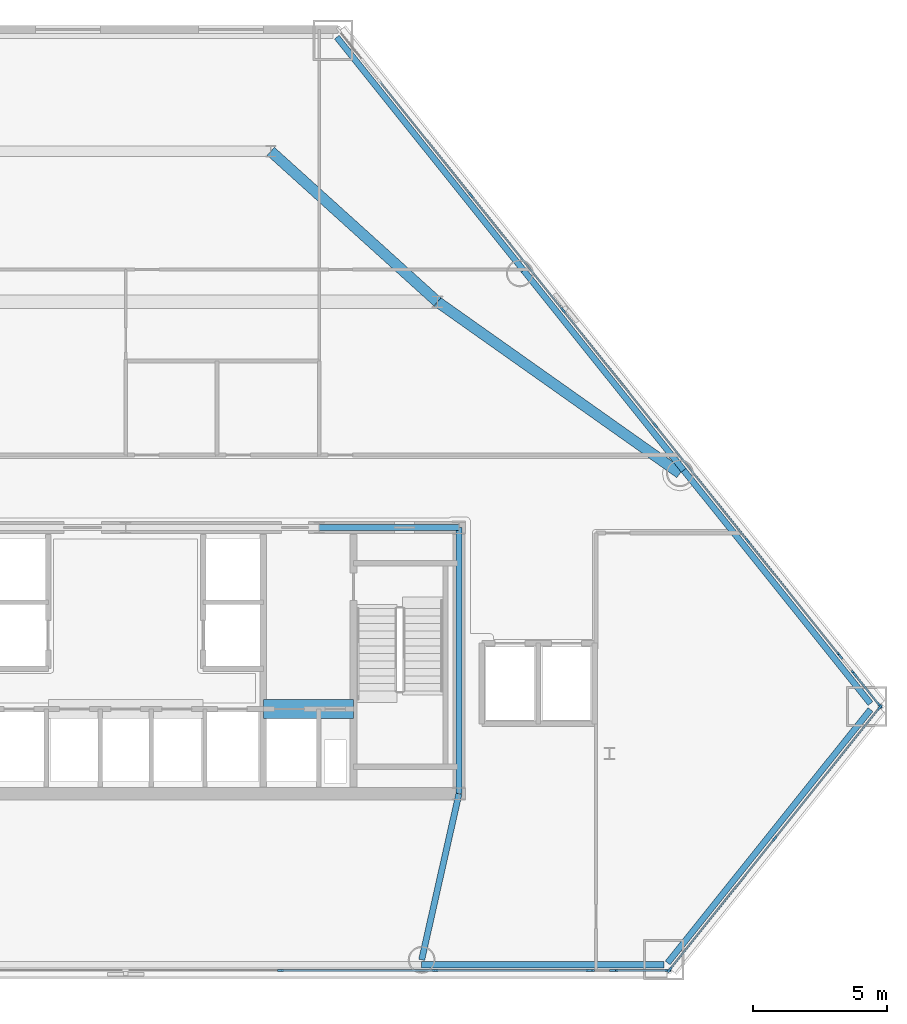
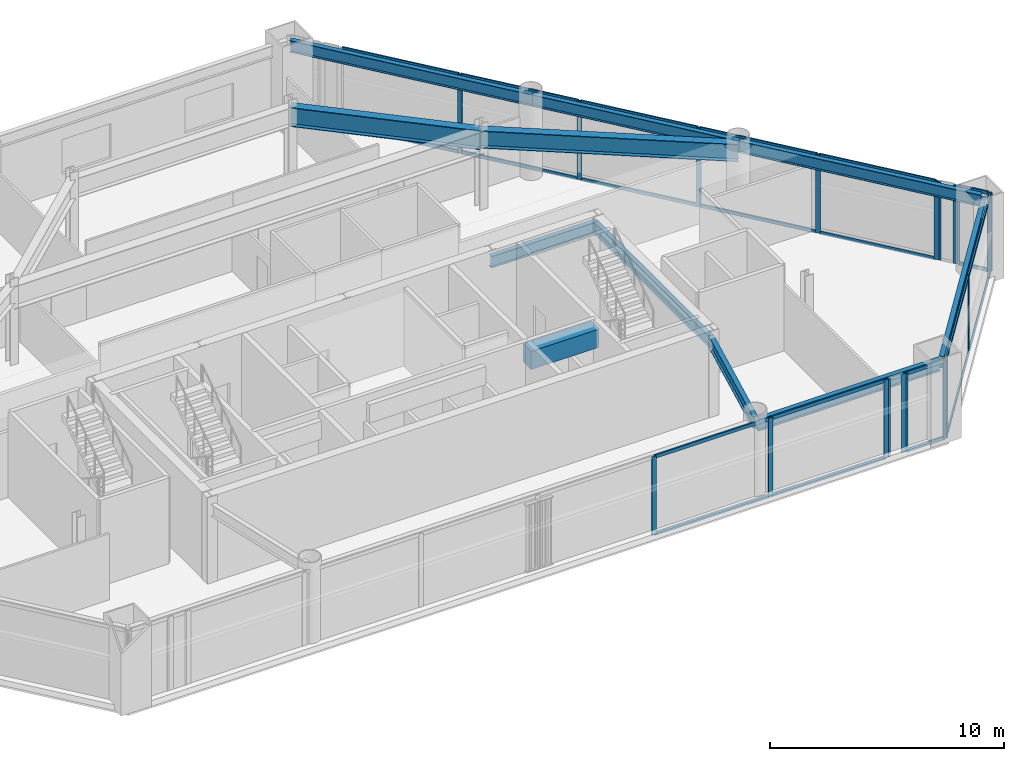
# One storey, part 5 of 13: 41 members, 11 beams, 7 elements without a shape of their own.
"""IFC4 building model written with IfcOpenShell, lengths in metres."""

from ifc_helpers import new_model, si_unit, direction, frame, origin, origin_2d, place, context, subcontext, project, spatial, rectangle, i_section, extrude, material, layer, layer_set, material_profile, profile_set, type_object, element, aggregate, save


model = new_model("IFC4")

# Units and contexts
model_context = context("Model", 3, precision=1e-05, world=origin(), true_north=direction((0.0, 1.0)))
body_context = subcontext(model_context, "Body", "Model", "MODEL_VIEW")
ifc_project = project(units=[si_unit("LENGTHUNIT", "METRE"), si_unit("AREAUNIT", "SQUARE_METRE"), si_unit("VOLUMEUNIT", "CUBIC_METRE"), si_unit("PLANEANGLEUNIT", "RADIAN"), si_unit("MASSUNIT", "GRAM", prefix="KILO")], contexts=[model_context])

# Site, building, storey
site_placement = place(None, origin())
site = spatial("IfcSite", under=ifc_project, at=site_placement, CompositionType="ELEMENT")
building_placement = place(site_placement, origin())
building = spatial("IfcBuilding", under=site, at=building_placement, Name="Talgorran Terracotta Tower", CompositionType="ELEMENT")
storey_placement = place(building_placement, frame((0.0, 0.0, 14.39990234375)))
storey = spatial("IfcBuildingStorey", under=building, at=storey_placement, Name="L03", CompositionType="ELEMENT", Elevation=14.39990234375)

# Beams
ifc_material_1 = material(Name="Steel Grade 350 (350L0)", Category="steel")
ifc_material_profile_1 = material_profile(ifc_material_1, i_section(OverallWidth=0.39990234375, OverallDepth=1.0, WebThickness=0.01611328125, FlangeThickness=0.031005859375, at=origin_2d()), Name="1000WB296")
ifc_profile_set_1 = profile_set([ifc_material_profile_1], Name="Steel Grade 350 (350L0)")
beam_type_1 = type_object("IfcBeamType", Name="BM_1000WB296", PredefinedType="BEAM", material=ifc_profile_set_1)
beam_1_placement = place(storey_placement, frame((11.60009765625, 4.199951171875, 3.60009765625), z_axis=(-0.742107331558, 0.670281066754, 0.0), x_axis=(-0.670281066754, -0.742107331558, 0.0)))
element("IfcBeam", 1, at=beam_1_placement, inside=storey, type_object=beam_type_1, Name="L03 Podium Girder PG3", PredefinedType="BEAM", context=body_context, shape_type="SweptSolid", body=[
    extrude(i_section(OverallWidth=0.39990234375, OverallDepth=1.0, WebThickness=0.01611328125, FlangeThickness=0.031005859375, at=origin_2d()), origin(), (0.0, 0.0, 1.0), 8.354736328125),
])
ifc_material_profile_2 = material_profile(ifc_material_1, i_section(OverallWidth=0.39990234375, OverallDepth=0.907958984375, WebThickness=0.01611328125, FlangeThickness=0.02490234375, at=origin_2d()), Name="900WB257")
ifc_profile_set_2 = profile_set([ifc_material_profile_2], Name="Steel Grade 350 (350L0)")
beam_type_2 = type_object("IfcBeamType", Name="BM_900WB257", PredefinedType="BEAM", material=ifc_profile_set_2)
beam_2_placement = place(storey_placement, frame((20.620361328125, -2.1787109375, 3.64599609375), z_axis=(-0.816480686171, 0.577372747113, 0.0), x_axis=(-0.577372747113, -0.816480686171, 0.0)))
element("IfcBeam", 2, at=beam_2_placement, inside=storey, type_object=beam_type_2, Name="L03 Podium Girder PG8", PredefinedType="BEAM", context=body_context, shape_type="SweptSolid", body=[
    extrude(i_section(OverallWidth=0.39990234375, OverallDepth=0.907958984375, WebThickness=0.01611328125, FlangeThickness=0.02490234375, at=origin_2d()), origin(), (0.0, 0.0, 1.0), 11.0478515625),
])
ifc_material_2 = material(Name="Concrete C65/80", Category="concrete")
ifc_material_profile_3 = material_profile(ifc_material_2, rectangle(XDim=0.699951171875, YDim=0.949951171875, at=origin_2d()), Name="RCCB700X950")
ifc_profile_set_3 = profile_set([ifc_material_profile_3], Name="Concrete C65/80")
beam_type_3 = type_object("IfcBeamType", Name="BM_CB_700X950", PredefinedType="LINTEL", material=ifc_profile_set_3)
beam_3_placement = place(storey_placement, frame((5.1201171875, -10.949951171875, 3.625), z_axis=(1.0, 0.0, 0.0), x_axis=(0.0, 1.0, 0.0)))
element("IfcBeam", 3, at=beam_3_placement, inside=storey, type_object=beam_type_3, Name="L03 Core Shear-Wall Coupling Beam CB3", PredefinedType="LINTEL", context=body_context, shape_type="SweptSolid", body=[
    extrude(rectangle(XDim=0.699951171875, YDim=0.949951171875, at=origin_2d()), origin(), (0.0, 0.0, 1.0), 3.35986328125),
])
ifc_material_3 = material(Name="Steel S355 (300PLUS)", Category="steel")
ifc_material_profile_4 = material_profile(ifc_material_3, i_section(OverallWidth=0.22900390625, OverallDepth=0.611572265625, WebThickness=0.011962890625, FlangeThickness=0.01953125, at=origin_2d()), Name="610UB125")
ifc_profile_set_4 = profile_set([ifc_material_profile_4], Name="Steel S355 (300PLUS)")
beam_type_4 = type_object("IfcBeamType", Name="BM_SP_610UB125", PredefinedType="SPANDREL", material=ifc_profile_set_4)
beam_4_placement = place(storey_placement, frame((11.01220703125, -20.4599609375, 3.794189453125), z_axis=(1.0, 0.0, 0.0), x_axis=(0.0, 1.0, 0.0)))
element("IfcBeam", 4, at=beam_4_placement, inside=storey, type_object=beam_type_4, Name="L03 Perimeter Spandrel Beam FC2-MC3", PredefinedType="SPANDREL", context=body_context, shape_type="SweptSolid", body=[
    extrude(i_section(OverallWidth=0.22900390625, OverallDepth=0.611572265625, WebThickness=0.011962890625, FlangeThickness=0.01953125, at=origin_2d()), origin(), (0.0, 0.0, 1.0), 9.010009765625),
])
beam_5_placement = place(storey_placement, frame((20.16259765625, -20.392578125, 3.794189453125), z_axis=(0.625116627788, 0.780531358539, 0.0), x_axis=(-0.780531358539, 0.625116627788, 0.0)))
element("IfcBeam", 5, at=beam_5_placement, inside=storey, type_object=beam_type_4, Name="L03 Perimeter Spandrel Beam MC3-MC4", PredefinedType="SPANDREL", context=body_context, shape_type="SweptSolid", body=[
    extrude(i_section(OverallWidth=0.22900390625, OverallDepth=0.611572265625, WebThickness=0.011962890625, FlangeThickness=0.01953125, at=origin_2d()), origin(), (0.0, 0.0, 1.0), 12.073974609375),
])
beam_6_placement = place(storey_placement, frame((27.710205078125, -10.743408203125, 3.794189453125), z_axis=(-0.625126142132, 0.780523738539, 0.0), x_axis=(-0.780523738539, -0.625126142132, 0.0)))
element("IfcBeam", 6, at=beam_6_placement, inside=storey, type_object=beam_type_4, Name="L03 Perimeter Spandrel Beam MC4-FC3", PredefinedType="SPANDREL", context=body_context, shape_type="SweptSolid", body=[
    extrude(i_section(OverallWidth=0.22900390625, OverallDepth=0.611572265625, WebThickness=0.011962890625, FlangeThickness=0.01953125, at=origin_2d()), origin(), (0.0, 0.0, 1.0), 11.116943359375),
])
beam_7_placement = place(storey_placement, frame((20.7607421875, -2.06640625, 3.794189453125), z_axis=(-0.625101149619, 0.780543754536, 0.0), x_axis=(-0.780543754536, -0.625101149619, 0.0)))
element("IfcBeam", 7, at=beam_7_placement, inside=storey, type_object=beam_type_4, Name="L03 Perimeter Spandrel Beam FC3-FC4", PredefinedType="SPANDREL", context=body_context, shape_type="SweptSolid", body=[
    extrude(i_section(OverallWidth=0.22900390625, OverallDepth=0.611572265625, WebThickness=0.011962890625, FlangeThickness=0.01953125, at=origin_2d()), origin(), (0.0, 0.0, 1.0), 9.52880859375),
])
beam_8_placement = place(storey_placement, frame((14.80419921875, 5.371337890625, 3.794189453125), z_axis=(-0.625115426811, 0.780532320383, 0.0), x_axis=(-0.780532320383, -0.625115426811, 0.0)))
element("IfcBeam", 8, at=beam_8_placement, inside=storey, type_object=beam_type_4, Name="L03 Perimeter Spandrel Beam FC4-MC5", PredefinedType="SPANDREL", context=body_context, shape_type="SweptSolid", body=[
    extrude(i_section(OverallWidth=0.22900390625, OverallDepth=0.611572265625, WebThickness=0.011962890625, FlangeThickness=0.01953125, at=origin_2d()), origin(), (0.0, 0.0, 1.0), 11.1171875),
])
beam_9_placement = place(storey_placement, frame((12.39990234375, -14.10009765625, 3.794189453125), z_axis=(-0.219093011867, -0.975703977726, 0.0), x_axis=(0.975703977726, -0.219093011867, 0.0)))
element("IfcBeam", 9, at=beam_9_placement, inside=storey, type_object=beam_type_4, Name="L03 South-East Core Tie Beam", PredefinedType="SPANDREL", context=body_context, shape_type="SweptSolid", body=[
    extrude(i_section(OverallWidth=0.22900390625, OverallDepth=0.611572265625, WebThickness=0.011962890625, FlangeThickness=0.01953125, at=origin_2d()), origin(), (0.0, 0.0, 1.0), 6.333740234375),
])
beam_10_placement = place(storey_placement, frame((12.39990234375, -14.10009765625, 3.794189453125), z_axis=(0.0, 1.0, 0.0), x_axis=(-1.0, 0.0, 0.0)))
element("IfcBeam", 10, at=beam_10_placement, inside=storey, type_object=beam_type_4, Name="L03 Core Frame Beam CFE", PredefinedType="SPANDREL", context=body_context, shape_type="SweptSolid", body=[
    extrude(i_section(OverallWidth=0.22900390625, OverallDepth=0.611572265625, WebThickness=0.011962890625, FlangeThickness=0.01953125, at=origin_2d()), origin(), (0.0, 0.0, 1.0), 9.900146484375),
])
beam_11_placement = place(storey_placement, frame((7.199951171875, -4.199951171875, 3.794189453125), z_axis=(1.0, 0.0, 0.0), x_axis=(0.0, 1.0, 0.0)))
element("IfcBeam", 11, at=beam_11_placement, inside=storey, type_object=beam_type_4, Name="L03 Core Frame Beam CFN4", PredefinedType="SPANDREL", context=body_context, shape_type="SweptSolid", body=[
    extrude(i_section(OverallWidth=0.22900390625, OverallDepth=0.611572265625, WebThickness=0.011962890625, FlangeThickness=0.01953125, at=origin_2d()), origin(), (0.0, 0.0, 1.0), 5.199951171875),
])

# Curtain wall, members
ifc_material_4 = material(Name="Terracotta and Low-E Glazing", Category="masonry")
ifc_layer = layer(ifc_material_4, 0.219970703125, Name="CW_SYS1_PODIUM")
ifc_layer_set = layer_set([ifc_layer], Name="Terracotta and Low-E Glazing")
curtain_wall_type = type_object("IfcCurtainWallType", Name="CW_SYS1_PODIUM", PredefinedType="NOTDEFINED", material=ifc_layer_set)
curtain_wall_1_placement = place(storey_placement, origin())
curtain_wall_1 = element("IfcCurtainWall", 12, at=curtain_wall_1_placement, inside=storey, type_object=curtain_wall_type, Name="CW-L03-F1C", PredefinedType="NOTDEFINED")
ifc_material_5 = material(Name="Architectural Aluminium 6063-T6", Category="aluminium")
ifc_material_profile_5 = material_profile(ifc_material_5, rectangle(XDim=0.074951171875, YDim=0.219970703125, at=origin_2d()), Name="CWM75X220")
ifc_profile_set_5 = profile_set([ifc_material_profile_5], Name="Architectural Aluminium 6063-T6")
member_type_1 = type_object("IfcMemberType", Name="MUL_75X220", PredefinedType="MULLION", material=ifc_profile_set_5)
member_1_placement = place(storey_placement, frame((5.759521484375, -20.679931640625, 0.0), z_axis=(0.0, 0.0, 1.0), x_axis=(0.0, 1.0, 0.0)))
member_1 = element("IfcMember", 13, at=member_1_placement, type_object=member_type_1, Name="CW-L03-1C mullion 5", PredefinedType="MULLION", context=body_context, shape_type="SweptSolid", body=[
    extrude(rectangle(XDim=0.074951171875, YDim=0.219970703125, at=origin_2d()), origin(), (0.0, 0.0, 1.0), 4.10009765625),
])
member_2_placement = place(storey_placement, frame((11.51904296875, -20.679931640625, 0.0), z_axis=(0.0, 0.0, 1.0), x_axis=(0.0, 1.0, 0.0)))
member_2 = element("IfcMember", 14, at=member_2_placement, type_object=member_type_1, Name="CW-L03-1C mullion 6", PredefinedType="MULLION", context=body_context, shape_type="SweptSolid", body=[
    extrude(rectangle(XDim=0.074951171875, YDim=0.219970703125, at=origin_2d()), origin(), (0.0, 0.0, 1.0), 4.10009765625),
])
member_3_placement = place(storey_placement, frame((17.240966796875, -20.679931640625, 0.0), z_axis=(0.0, 0.0, 1.0), x_axis=(0.0, 1.0, 0.0)))
member_3 = element("IfcMember", 15, at=member_3_placement, type_object=member_type_1, Name="CW-L03-1C mullion 7", PredefinedType="MULLION", context=body_context, shape_type="SweptSolid", body=[
    extrude(rectangle(XDim=0.074951171875, YDim=0.219970703125, at=origin_2d()), origin(), (0.0, 0.0, 1.0), 4.10009765625),
])

curtain_wall_2_placement = place(storey_placement, origin())
curtain_wall_2 = element("IfcCurtainWall", 16, at=curtain_wall_2_placement, inside=storey, type_object=curtain_wall_type, Name="CW-L03-F1D", PredefinedType="NOTDEFINED")
member_4_placement = place(storey_placement, frame((17.325927734375, -20.679931640625, 0.0), z_axis=(0.0, 0.0, 1.0), x_axis=(0.0, 1.0, 0.0)))
member_4 = element("IfcMember", 17, at=member_4_placement, type_object=member_type_1, Name="CW-L03-1D mullion 1", PredefinedType="MULLION", context=body_context, shape_type="SweptSolid", body=[
    extrude(rectangle(XDim=0.074951171875, YDim=0.219970703125, at=origin_2d()), origin(), (0.0, 0.0, 1.0), 4.10009765625),
])
member_5_placement = place(storey_placement, frame((18.11376953125, -20.679931640625, 0.0), z_axis=(0.0, 0.0, 1.0), x_axis=(0.0, 1.0, 0.0)))
member_5 = element("IfcMember", 18, at=member_5_placement, type_object=member_type_1, Name="CW-L03-1D mullion 2", PredefinedType="MULLION", context=body_context, shape_type="SweptSolid", body=[
    extrude(rectangle(XDim=0.074951171875, YDim=0.219970703125, at=origin_2d()), origin(), (0.0, 0.0, 1.0), 4.10009765625),
])
aggregate(curtain_wall_2, [member_4, member_5])

curtain_wall_3_placement = place(storey_placement, origin())
curtain_wall_3 = element("IfcCurtainWall", 19, at=curtain_wall_3_placement, inside=storey, type_object=curtain_wall_type, Name="CW-L03-F1E", PredefinedType="NOTDEFINED")
member_6_placement = place(storey_placement, frame((18.19873046875, -20.679931640625, 0.0), z_axis=(0.0, 0.0, 1.0), x_axis=(0.0, 1.0, 0.0)))
member_6 = element("IfcMember", 20, at=member_6_placement, type_object=member_type_1, Name="CW-L03-1E mullion 1", PredefinedType="MULLION", context=body_context, shape_type="SweptSolid", body=[
    extrude(rectangle(XDim=0.074951171875, YDim=0.219970703125, at=origin_2d()), origin(), (0.0, 0.0, 1.0), 4.10009765625),
])
member_7_placement = place(storey_placement, frame((20.177001953125, -20.679931640625, 0.0), z_axis=(0.0, 0.0, 1.0), x_axis=(0.0, 1.0, 0.0)))
member_7 = element("IfcMember", 21, at=member_7_placement, type_object=member_type_1, Name="CW-L03-1E mullion 2", PredefinedType="MULLION", context=body_context, shape_type="SweptSolid", body=[
    extrude(rectangle(XDim=0.074951171875, YDim=0.219970703125, at=origin_2d()), origin(), (0.0, 0.0, 1.0), 4.10009765625),
])

curtain_wall_4_placement = place(storey_placement, origin())
curtain_wall_4 = element("IfcCurtainWall", 22, at=curtain_wall_4_placement, inside=storey, type_object=curtain_wall_type, Name="CW-L03-F2", PredefinedType="NOTDEFINED")
member_8_placement = place(storey_placement, frame((20.23779296875, -20.650634765625, 0.0), z_axis=(0.0, 0.0, 1.0), x_axis=(-0.780531511293, 0.625116437056, 0.0)))
member_8 = element("IfcMember", 23, at=member_8_placement, type_object=member_type_1, Name="CW-L03-2 mullion 1", PredefinedType="MULLION", context=body_context, shape_type="SweptSolid", body=[
    extrude(rectangle(XDim=0.074951171875, YDim=0.219970703125, at=origin_2d()), origin(), (0.0, 0.0, 1.0), 4.10009765625),
])
member_9_placement = place(storey_placement, frame((24.1484375, -15.76806640625, 0.0), z_axis=(0.0, 0.0, 1.0), x_axis=(-0.780531511293, 0.625116437056, 0.0)))
member_9 = element("IfcMember", 24, at=member_9_placement, type_object=member_type_1, Name="CW-L03-2 mullion 2", PredefinedType="MULLION", context=body_context, shape_type="SweptSolid", body=[
    extrude(rectangle(XDim=0.074951171875, YDim=0.219970703125, at=origin_2d()), origin(), (0.0, 0.0, 1.0), 4.10009765625),
])
member_10_placement = place(storey_placement, frame((28.058837890625, -10.88525390625, 0.0), z_axis=(0.0, 0.0, 1.0), x_axis=(-0.780531511293, 0.625116437056, 0.0)))
member_10 = element("IfcMember", 25, at=member_10_placement, type_object=member_type_1, Name="CW-L03-2 mullion 3", PredefinedType="MULLION", context=body_context, shape_type="SweptSolid", body=[
    extrude(rectangle(XDim=0.074951171875, YDim=0.219970703125, at=origin_2d()), origin(), (0.0, 0.0, 1.0), 4.10009765625),
])

curtain_wall_5_placement = place(storey_placement, origin())
curtain_wall_5 = element("IfcCurtainWall", 26, at=curtain_wall_5_placement, inside=storey, type_object=curtain_wall_type, Name="CW-L03-F3", PredefinedType="NOTDEFINED")
member_11_placement = place(storey_placement, frame((28.058837890625, -10.82666015625, 0.0), z_axis=(0.0, 0.0, 1.0), x_axis=(-0.780542576711, -0.625102620329, 0.0)))
member_11 = element("IfcMember", 27, at=member_11_placement, type_object=member_type_1, Name="CW-L03-3 mullion 1", PredefinedType="MULLION", context=body_context, shape_type="SweptSolid", body=[
    extrude(rectangle(XDim=0.074951171875, YDim=0.219970703125, at=origin_2d()), origin(), (0.0, 0.0, 1.0), 4.10009765625),
])
member_12_placement = place(storey_placement, frame((27.13330078125, -9.671142578125, 0.0), z_axis=(0.0, 0.0, 1.0), x_axis=(-0.780542576711, -0.625102620329, 0.0)))
member_12 = element("IfcMember", 28, at=member_12_placement, type_object=member_type_1, Name="CW-L03-3 mullion 2", PredefinedType="MULLION", context=body_context, shape_type="SweptSolid", body=[
    extrude(rectangle(XDim=0.074951171875, YDim=0.219970703125, at=origin_2d()), origin(), (0.0, 0.0, 1.0), 4.10009765625),
])

curtain_wall_6_placement = place(storey_placement, origin())
curtain_wall_6 = element("IfcCurtainWall", 29, at=curtain_wall_6_placement, inside=storey, type_object=curtain_wall_type, Name="CW-L03-F3B", PredefinedType="NOTDEFINED")
member_13_placement = place(storey_placement, frame((27.080078125, -9.604736328125, 0.0), z_axis=(0.0, 0.0, 1.0), x_axis=(-0.780523605806, -0.625126307861, 0.0)))
member_13 = element("IfcMember", 30, at=member_13_placement, type_object=member_type_1, Name="CW-L03-3B mullion 1", PredefinedType="MULLION", context=body_context, shape_type="SweptSolid", body=[
    extrude(rectangle(XDim=0.074951171875, YDim=0.219970703125, at=origin_2d()), origin(), (0.0, 0.0, 1.0), 4.10009765625),
])
member_14_placement = place(storey_placement, frame((26.596923828125, -9.001220703125, 0.0), z_axis=(0.0, 0.0, 1.0), x_axis=(-0.780523605806, -0.625126307861, 0.0)))
member_14 = element("IfcMember", 31, at=member_14_placement, type_object=member_type_1, Name="CW-L03-3B mullion 2", PredefinedType="MULLION", context=body_context, shape_type="SweptSolid", body=[
    extrude(rectangle(XDim=0.074951171875, YDim=0.219970703125, at=origin_2d()), origin(), (0.0, 0.0, 1.0), 4.10009765625),
])
aggregate(curtain_wall_6, [member_13, member_14])

curtain_wall_7_placement = place(storey_placement, origin())
curtain_wall_7 = element("IfcCurtainWall", 32, at=curtain_wall_7_placement, inside=storey, type_object=curtain_wall_type, Name="CW-L03-F3C", PredefinedType="NOTDEFINED")
member_15_placement = place(storey_placement, frame((26.543701171875, -8.934814453125, 0.0), z_axis=(0.0, 0.0, 1.0), x_axis=(-0.780531295105, -0.625116706993, 0.0)))
member_15 = element("IfcMember", 33, at=member_15_placement, type_object=member_type_1, Name="CW-L03-3C mullion 1", PredefinedType="MULLION", context=body_context, shape_type="SweptSolid", body=[
    extrude(rectangle(XDim=0.074951171875, YDim=0.219970703125, at=origin_2d()), origin(), (0.0, 0.0, 1.0), 4.10009765625),
])
member_16_placement = place(storey_placement, frame((23.136474609375, -4.680419921875, 0.0), z_axis=(0.0, 0.0, 1.0), x_axis=(-0.780531295105, -0.625116706993, 0.0)))
member_16 = element("IfcMember", 34, at=member_16_placement, type_object=member_type_1, Name="CW-L03-3C mullion 2", PredefinedType="MULLION", context=body_context, shape_type="SweptSolid", body=[
    extrude(rectangle(XDim=0.074951171875, YDim=0.219970703125, at=origin_2d()), origin(), (0.0, 0.0, 1.0), 4.10009765625),
])
member_17_placement = place(storey_placement, frame((19.705810546875, -0.396728515625, 0.0), z_axis=(0.0, 0.0, 1.0), x_axis=(-0.780531295105, -0.625116706993, 0.0)))
member_17 = element("IfcMember", 35, at=member_17_placement, type_object=member_type_1, Name="CW-L03-3C mullion 3", PredefinedType="MULLION", context=body_context, shape_type="SweptSolid", body=[
    extrude(rectangle(XDim=0.074951171875, YDim=0.219970703125, at=origin_2d()), origin(), (0.0, 0.0, 1.0), 4.10009765625),
])
member_18_placement = place(storey_placement, frame((16.27490234375, 3.88671875, 0.0), z_axis=(0.0, 0.0, 1.0), x_axis=(-0.780531295105, -0.625116706993, 0.0)))
member_18 = element("IfcMember", 36, at=member_18_placement, type_object=member_type_1, Name="CW-L03-3C mullion 4", PredefinedType="MULLION", context=body_context, shape_type="SweptSolid", body=[
    extrude(rectangle(XDim=0.074951171875, YDim=0.219970703125, at=origin_2d()), origin(), (0.0, 0.0, 1.0), 4.10009765625),
])
member_19_placement = place(storey_placement, frame((12.84423828125, 8.17041015625, 0.0), z_axis=(0.0, 0.0, 1.0), x_axis=(-0.780531295105, -0.625116706993, 0.0)))
member_19 = element("IfcMember", 37, at=member_19_placement, type_object=member_type_1, Name="CW-L03-3C mullion 5", PredefinedType="MULLION", context=body_context, shape_type="SweptSolid", body=[
    extrude(rectangle(XDim=0.074951171875, YDim=0.219970703125, at=origin_2d()), origin(), (0.0, 0.0, 1.0), 4.10009765625),
])

# Member
ifc_material_profile_6 = material_profile(ifc_material_5, rectangle(XDim=0.074951171875, YDim=0.179931640625, at=origin_2d()), Name="CWT75X180")
ifc_profile_set_6 = profile_set([ifc_material_profile_6], Name="Architectural Aluminium 6063-T6")
member_type_2 = type_object("IfcMemberType", Name="TRN_75X180", PredefinedType="USERDEFINED", material=ifc_profile_set_6)
member_20_placement = place(storey_placement, frame((5.797119140625, -20.679931640625, 0.03759765625), z_axis=(1.0, 0.0, 0.0), x_axis=(0.0, 1.0, 0.0)))
member_20 = element("IfcMember", 38, at=member_20_placement, type_object=member_type_2, Name="CW-L03-1C transom 5.1", ObjectType="TRANSOM", PredefinedType="USERDEFINED", context=body_context, shape_type="SweptSolid", body=[
    extrude(rectangle(XDim=0.074951171875, YDim=0.179931640625, at=origin_2d()), origin(), (0.0, 0.0, 1.0), 5.684326171875),
])

member_21_placement = place(storey_placement, frame((5.797119140625, -20.679931640625, 4.0625), z_axis=(1.0, 0.0, 0.0), x_axis=(0.0, 1.0, 0.0)))
member_21 = element("IfcMember", 39, at=member_21_placement, type_object=member_type_2, Name="CW-L03-1C transom 5.2", ObjectType="TRANSOM", PredefinedType="USERDEFINED", context=body_context, shape_type="SweptSolid", body=[
    extrude(rectangle(XDim=0.074951171875, YDim=0.179931640625, at=origin_2d()), origin(), (0.0, 0.0, 1.0), 5.684326171875),
])

member_22_placement = place(storey_placement, frame((11.556396484375, -20.679931640625, 0.03759765625), z_axis=(1.0, 0.0, 0.0), x_axis=(0.0, 1.0, 0.0)))
member_22 = element("IfcMember", 40, at=member_22_placement, type_object=member_type_2, Name="CW-L03-1C transom 6.1", ObjectType="TRANSOM", PredefinedType="USERDEFINED", context=body_context, shape_type="SweptSolid", body=[
    extrude(rectangle(XDim=0.074951171875, YDim=0.179931640625, at=origin_2d()), origin(), (0.0, 0.0, 1.0), 5.647216796875),
])

member_23_placement = place(storey_placement, frame((11.556396484375, -20.679931640625, 4.0625), z_axis=(1.0, 0.0, 0.0), x_axis=(0.0, 1.0, 0.0)))
member_23 = element("IfcMember", 41, at=member_23_placement, type_object=member_type_2, Name="CW-L03-1C transom 6.2", ObjectType="TRANSOM", PredefinedType="USERDEFINED", context=body_context, shape_type="SweptSolid", body=[
    extrude(rectangle(XDim=0.074951171875, YDim=0.179931640625, at=origin_2d()), origin(), (0.0, 0.0, 1.0), 5.647216796875),
])

aggregate(curtain_wall_1, [member_1, member_2, member_3, member_20, member_21, member_22, member_23])

member_24_placement = place(storey_placement, frame((18.236328125, -20.679931640625, 0.03759765625), z_axis=(1.0, 0.0, 0.0), x_axis=(0.0, 1.0, 0.0)))
member_24 = element("IfcMember", 42, at=member_24_placement, type_object=member_type_2, Name="CW-L03-1E transom 1.1", ObjectType="TRANSOM", PredefinedType="USERDEFINED", context=body_context, shape_type="SweptSolid", body=[
    extrude(rectangle(XDim=0.074951171875, YDim=0.179931640625, at=origin_2d()), origin(), (0.0, 0.0, 1.0), 1.903076171875),
])

member_25_placement = place(storey_placement, frame((18.236328125, -20.679931640625, 4.0625), z_axis=(1.0, 0.0, 0.0), x_axis=(0.0, 1.0, 0.0)))
member_25 = element("IfcMember", 43, at=member_25_placement, type_object=member_type_2, Name="CW-L03-1E transom 1.2", ObjectType="TRANSOM", PredefinedType="USERDEFINED", context=body_context, shape_type="SweptSolid", body=[
    extrude(rectangle(XDim=0.074951171875, YDim=0.179931640625, at=origin_2d()), origin(), (0.0, 0.0, 1.0), 1.903076171875),
])

aggregate(curtain_wall_3, [member_6, member_7, member_24, member_25])

member_26_placement = place(storey_placement, frame((20.26123046875, -20.62158203125, 0.03759765625), z_axis=(0.625128488892, 0.780521858999, 0.0), x_axis=(-0.780521858999, 0.625128488892, 0.0)))
member_26 = element("IfcMember", 44, at=member_26_placement, type_object=member_type_2, Name="CW-L03-2 transom 1.1", ObjectType="TRANSOM", PredefinedType="USERDEFINED", context=body_context, shape_type="SweptSolid", body=[
    extrude(rectangle(XDim=0.074951171875, YDim=0.179931640625, at=origin_2d()), origin(), (0.0, 0.0, 1.0), 6.1806640625),
])

member_27_placement = place(storey_placement, frame((20.26123046875, -20.62158203125, 4.0625), z_axis=(0.625128488892, 0.780521858999, 0.0), x_axis=(-0.780521858999, 0.625128488892, 0.0)))
member_27 = element("IfcMember", 45, at=member_27_placement, type_object=member_type_2, Name="CW-L03-2 transom 1.2", ObjectType="TRANSOM", PredefinedType="USERDEFINED", context=body_context, shape_type="SweptSolid", body=[
    extrude(rectangle(XDim=0.074951171875, YDim=0.179931640625, at=origin_2d()), origin(), (0.0, 0.0, 1.0), 6.1806640625),
])

member_28_placement = place(storey_placement, frame((24.171875, -15.73876953125, 0.03759765625), z_axis=(0.625104423976, 0.780541132244, 0.0), x_axis=(-0.780541132244, 0.625104423976, 0.0)))
member_28 = element("IfcMember", 46, at=member_28_placement, type_object=member_type_2, Name="CW-L03-2 transom 2.1", ObjectType="TRANSOM", PredefinedType="USERDEFINED", context=body_context, shape_type="SweptSolid", body=[
    extrude(rectangle(XDim=0.074951171875, YDim=0.179931640625, at=origin_2d()), origin(), (0.0, 0.0, 1.0), 6.1806640625),
])

member_29_placement = place(storey_placement, frame((24.171875, -15.73876953125, 4.0625), z_axis=(0.625104423976, 0.780541132244, 0.0), x_axis=(-0.780541132244, 0.625104423976, 0.0)))
member_29 = element("IfcMember", 47, at=member_29_placement, type_object=member_type_2, Name="CW-L03-2 transom 2.2", ObjectType="TRANSOM", PredefinedType="USERDEFINED", context=body_context, shape_type="SweptSolid", body=[
    extrude(rectangle(XDim=0.074951171875, YDim=0.179931640625, at=origin_2d()), origin(), (0.0, 0.0, 1.0), 6.1806640625),
])

aggregate(curtain_wall_4, [member_8, member_9, member_10, member_26, member_27, member_28, member_29])

member_30_placement = place(storey_placement, frame((28.035400390625, -10.79736328125, 0.03759765625), z_axis=(-0.625182161213, 0.780478869222, 0.0), x_axis=(-0.780478869222, -0.625182161213, 0.0)))
member_30 = element("IfcMember", 48, at=member_30_placement, type_object=member_type_2, Name="CW-L03-3 transom 1.1", ObjectType="TRANSOM", PredefinedType="USERDEFINED", context=body_context, shape_type="SweptSolid", body=[
    extrude(rectangle(XDim=0.074951171875, YDim=0.179931640625, at=origin_2d()), origin(), (0.0, 0.0, 1.0), 1.405517578125),
])

member_31_placement = place(storey_placement, frame((28.035400390625, -10.79736328125, 4.0625), z_axis=(-0.625182161213, 0.780478869222, 0.0), x_axis=(-0.780478869222, -0.625182161213, 0.0)))
member_31 = element("IfcMember", 49, at=member_31_placement, type_object=member_type_2, Name="CW-L03-3 transom 1.2", ObjectType="TRANSOM", PredefinedType="USERDEFINED", context=body_context, shape_type="SweptSolid", body=[
    extrude(rectangle(XDim=0.074951171875, YDim=0.179931640625, at=origin_2d()), origin(), (0.0, 0.0, 1.0), 1.405517578125),
])

aggregate(curtain_wall_5, [member_11, member_12, member_30, member_31])

member_32_placement = place(storey_placement, frame((26.520263671875, -8.90576171875, 0.03759765625), z_axis=(-0.62509373302, 0.780549694087, 0.0), x_axis=(-0.780549694087, -0.62509373302, 0.0)))
member_32 = element("IfcMember", 50, at=member_32_placement, type_object=member_type_2, Name="CW-L03-3C transom 1.1", ObjectType="TRANSOM", PredefinedType="USERDEFINED", context=body_context, shape_type="SweptSolid", body=[
    extrude(rectangle(XDim=0.074951171875, YDim=0.179931640625, at=origin_2d()), origin(), (0.0, 0.0, 1.0), 5.375732421875),
])

member_33_placement = place(storey_placement, frame((26.520263671875, -8.90576171875, 4.0625), z_axis=(-0.62509373302, 0.780549694087, 0.0), x_axis=(-0.780549694087, -0.62509373302, 0.0)))
member_33 = element("IfcMember", 51, at=member_33_placement, type_object=member_type_2, Name="CW-L03-3C transom 1.2", ObjectType="TRANSOM", PredefinedType="USERDEFINED", context=body_context, shape_type="SweptSolid", body=[
    extrude(rectangle(XDim=0.074951171875, YDim=0.179931640625, at=origin_2d()), origin(), (0.0, 0.0, 1.0), 5.375732421875),
])

member_34_placement = place(storey_placement, frame((23.113037109375, -4.6513671875, 0.03759765625), z_axis=(-0.625090970373, 0.780551906511, 0.0), x_axis=(-0.780551906511, -0.625090970373, 0.0)))
member_34 = element("IfcMember", 52, at=member_34_placement, type_object=member_type_2, Name="CW-L03-3C transom 2.1", ObjectType="TRANSOM", PredefinedType="USERDEFINED", context=body_context, shape_type="SweptSolid", body=[
    extrude(rectangle(XDim=0.074951171875, YDim=0.179931640625, at=origin_2d()), origin(), (0.0, 0.0, 1.0), 5.413330078125),
])

member_35_placement = place(storey_placement, frame((23.113037109375, -4.6513671875, 4.0625), z_axis=(-0.625090970373, 0.780551906511, 0.0), x_axis=(-0.780551906511, -0.625090970373, 0.0)))
member_35 = element("IfcMember", 53, at=member_35_placement, type_object=member_type_2, Name="CW-L03-3C transom 2.2", ObjectType="TRANSOM", PredefinedType="USERDEFINED", context=body_context, shape_type="SweptSolid", body=[
    extrude(rectangle(XDim=0.074951171875, YDim=0.179931640625, at=origin_2d()), origin(), (0.0, 0.0, 1.0), 5.413330078125),
])

member_36_placement = place(storey_placement, frame((19.682373046875, -0.36767578125, 0.03759765625), z_axis=(-0.625118447113, 0.780529901464, 0.0), x_axis=(-0.780529901464, -0.625118447113, 0.0)))
member_36 = element("IfcMember", 54, at=member_36_placement, type_object=member_type_2, Name="CW-L03-3C transom 3.1", ObjectType="TRANSOM", PredefinedType="USERDEFINED", context=body_context, shape_type="SweptSolid", body=[
    extrude(rectangle(XDim=0.074951171875, YDim=0.179931640625, at=origin_2d()), origin(), (0.0, 0.0, 1.0), 5.413330078125),
])

member_37_placement = place(storey_placement, frame((19.682373046875, -0.36767578125, 4.0625), z_axis=(-0.625118447113, 0.780529901464, 0.0), x_axis=(-0.780529901464, -0.625118447113, 0.0)))
member_37 = element("IfcMember", 55, at=member_37_placement, type_object=member_type_2, Name="CW-L03-3C transom 3.2", ObjectType="TRANSOM", PredefinedType="USERDEFINED", context=body_context, shape_type="SweptSolid", body=[
    extrude(rectangle(XDim=0.074951171875, YDim=0.179931640625, at=origin_2d()), origin(), (0.0, 0.0, 1.0), 5.413330078125),
])

member_38_placement = place(storey_placement, frame((16.25146484375, 3.916015625, 0.03759765625), z_axis=(-0.625090970373, 0.780551906511, 0.0), x_axis=(-0.780551906511, -0.625090970373, 0.0)))
member_38 = element("IfcMember", 56, at=member_38_placement, type_object=member_type_2, Name="CW-L03-3C transom 4.1", ObjectType="TRANSOM", PredefinedType="USERDEFINED", context=body_context, shape_type="SweptSolid", body=[
    extrude(rectangle(XDim=0.074951171875, YDim=0.179931640625, at=origin_2d()), origin(), (0.0, 0.0, 1.0), 5.413330078125),
])

member_39_placement = place(storey_placement, frame((16.25146484375, 3.916015625, 4.0625), z_axis=(-0.625090970373, 0.780551906511, 0.0), x_axis=(-0.780551906511, -0.625090970373, 0.0)))
member_39 = element("IfcMember", 57, at=member_39_placement, type_object=member_type_2, Name="CW-L03-3C transom 4.2", ObjectType="TRANSOM", PredefinedType="USERDEFINED", context=body_context, shape_type="SweptSolid", body=[
    extrude(rectangle(XDim=0.074951171875, YDim=0.179931640625, at=origin_2d()), origin(), (0.0, 0.0, 1.0), 5.413330078125),
])

member_40_placement = place(storey_placement, frame((12.82080078125, 8.19970703125, 0.03759765625), z_axis=(-0.62509373302, 0.780549694087, 0.0), x_axis=(-0.780549694087, -0.62509373302, 0.0)))
member_40 = element("IfcMember", 58, at=member_40_placement, type_object=member_type_2, Name="CW-L03-3C transom 5.1", ObjectType="TRANSOM", PredefinedType="USERDEFINED", context=body_context, shape_type="SweptSolid", body=[
    extrude(rectangle(XDim=0.074951171875, YDim=0.179931640625, at=origin_2d()), origin(), (0.0, 0.0, 1.0), 5.375732421875),
])

member_41_placement = place(storey_placement, frame((12.82080078125, 8.19970703125, 4.0625), z_axis=(-0.62509373302, 0.780549694087, 0.0), x_axis=(-0.780549694087, -0.62509373302, 0.0)))
member_41 = element("IfcMember", 59, at=member_41_placement, type_object=member_type_2, Name="CW-L03-3C transom 5.2", ObjectType="TRANSOM", PredefinedType="USERDEFINED", context=body_context, shape_type="SweptSolid", body=[
    extrude(rectangle(XDim=0.074951171875, YDim=0.179931640625, at=origin_2d()), origin(), (0.0, 0.0, 1.0), 5.375732421875),
])

aggregate(curtain_wall_7, [member_15, member_16, member_17, member_18, member_19, member_32, member_33, member_34, member_35, member_36, member_37, member_38, member_39, member_40, member_41])

save(model, "model.ifc")
